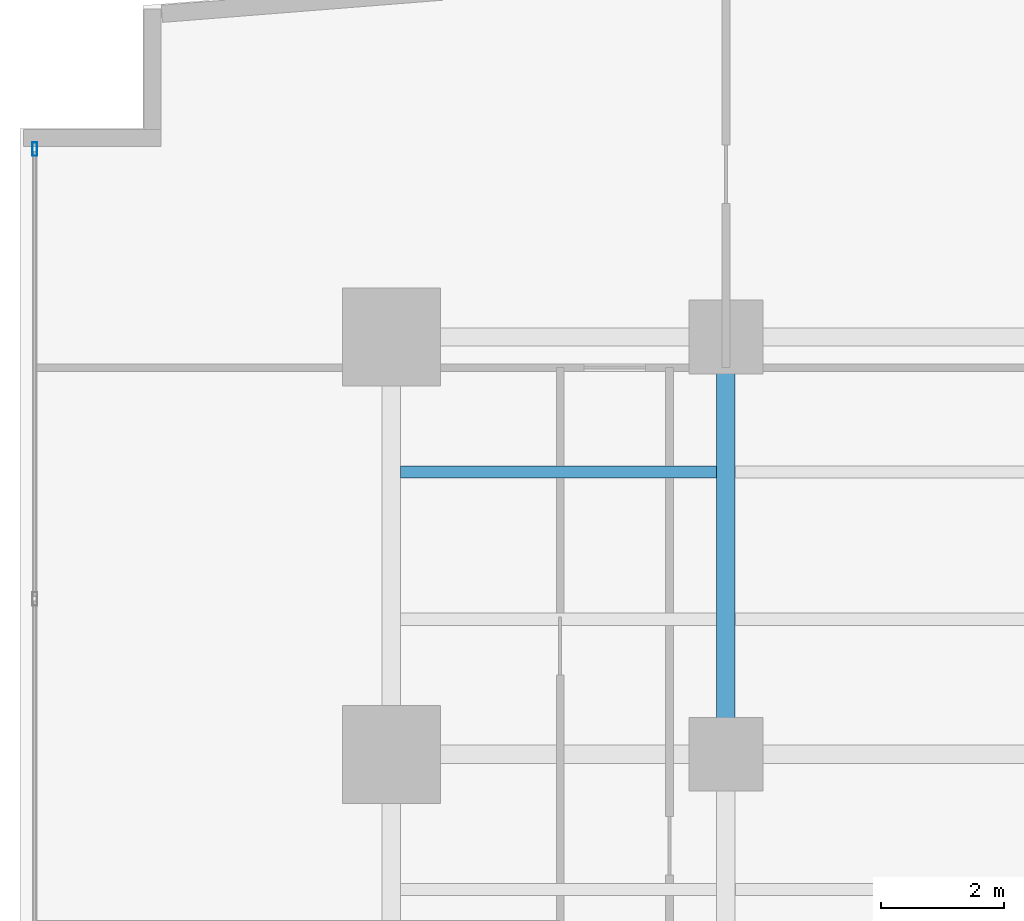
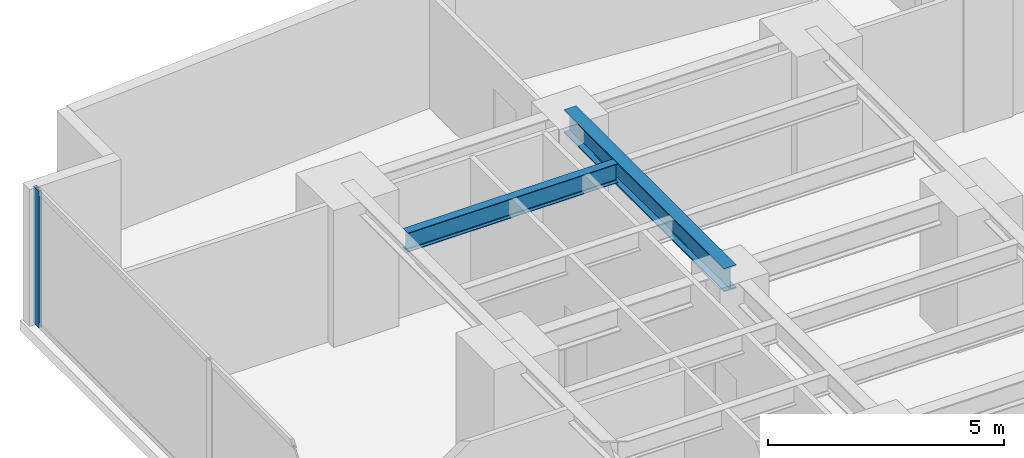
# One storey, part 17 of 28: 2 beams, 1 member, 1 element without a shape of its own.
"""IFC4 building model written with IfcOpenShell, lengths in metres."""

from ifc_helpers import new_model, si_unit, direction, frame, origin, origin_with_axes, origin_2d, place, context, subcontext, project, spatial, hollow_rectangle, i_section, extrude, source, transform, mapped, material, layer, layer_set, material_profile, profile_set, type_object, element, aggregate, save


model = new_model("IFC4")

# Units and contexts
model_context = context("Model", 3, precision=1e-05, world=origin(), true_north=direction((0.0, 1.0)))
body_context = subcontext(model_context, "Body", "Model", "MODEL_VIEW")
ifc_project = project(units=[si_unit("LENGTHUNIT", "METRE"), si_unit("AREAUNIT", "SQUARE_METRE"), si_unit("VOLUMEUNIT", "CUBIC_METRE"), si_unit("PLANEANGLEUNIT", "RADIAN"), si_unit("MASSUNIT", "GRAM", prefix="KILO")], contexts=[model_context])

# Site, building, storey
site_placement = place(None, origin())
site = spatial("IfcSite", under=ifc_project, at=site_placement, CompositionType="ELEMENT")
building_placement = place(site_placement, origin())
building = spatial("IfcBuilding", under=site, at=building_placement, Name="Kolvaren Waterfront Exchange", CompositionType="ELEMENT")
storey_placement = place(building_placement, frame((0.0, 0.0, 41.0)))
storey = spatial("IfcBuildingStorey", under=building, at=storey_placement, Name="L10", CompositionType="ELEMENT", Elevation=41.0)

# Beams
ifc_material_1 = material(Name="Steel S355", Category="steel")
ifc_material_profile_1 = material_profile(ifc_material_1, i_section(OverallWidth=0.300048828125, OverallDepth=0.60009765625, WebThickness=0.015380859375, FlangeThickness=0.030029296875, FilletRadius=0.027099609375, at=origin_2d()), Name="HEB600")
ifc_profile_set_1 = profile_set([ifc_material_profile_1], Name="Steel S355")
beam_type_1 = type_object("IfcBeamType", Name="STR-BM-HEB600", PredefinedType="BEAM", material=ifc_profile_set_1)
beam_1_placement = place(storey_placement, frame((12.89990234375, 37.800048828125, 3.239990234375), z_axis=(0.0, 1.0, 0.0), x_axis=(-1.0, 0.0, 0.0)))
element("IfcBeam", 1, at=beam_1_placement, inside=storey, type_object=beam_type_1, Name="L10 north-arm edge beam 3", PredefinedType="BEAM", context=body_context, shape_type="SweptSolid", body=[
    extrude(i_section(OverallWidth=0.300048828125, OverallDepth=0.60009765625, WebThickness=0.015380859375, FlangeThickness=0.030029296875, FilletRadius=0.027099609375, at=origin_2d()), origin(), (0.0, 0.0, 1.0), 6.800048828125),
])
ifc_material_profile_2 = material_profile(ifc_material_1, i_section(OverallWidth=0.199951171875, OverallDepth=0.5, WebThickness=0.01025390625, FlangeThickness=0.01611328125, FilletRadius=0.02099609375, at=origin_2d()), Name="IPE500")
ifc_profile_set_2 = profile_set([ifc_material_profile_2], Name="Steel S355")
beam_type_2 = type_object("IfcBeamType", Name="STR-BM-IPE500", PredefinedType="JOIST", material=ifc_profile_set_2)
beam_2_placement = place(storey_placement, frame((7.60205078125, 42.39990234375, 3.2900390625), z_axis=(1.0, 0.0, 0.0), x_axis=(0.0, 1.0, 0.0)))
element("IfcBeam", 2, at=beam_2_placement, inside=storey, type_object=beam_type_2, Name="L10 north-arm composite joist 6A", PredefinedType="JOIST", context=body_context, shape_type="SweptSolid", body=[
    extrude(i_section(OverallWidth=0.199951171875, OverallDepth=0.5, WebThickness=0.01025390625, FlangeThickness=0.01611328125, FilletRadius=0.02099609375, at=origin_2d()), origin(), (0.0, 0.0, 1.0), 5.14599609375),
])

# Curtain wall, member
ifc_material_2 = material(Name="Anodised aluminium 6063-T6", Category="aluminium")
ifc_layer = layer(ifc_material_2, 0.219970703125, Name="Anodised aluminium 6063-T6")
ifc_layer_set = layer_set([ifc_layer], Name="Anodised aluminium 6063-T6")
curtain_wall_type = type_object("IfcCurtainWallType", Name="ARC-CW-SYS2", PredefinedType="USERDEFINED", material=ifc_layer_set)
curtain_wall_placement = place(storey_placement, origin())
curtain_wall = element("IfcCurtainWall", 3, at=curtain_wall_placement, inside=storey, type_object=curtain_wall_type, Name="L10 stick curtain wall CW2 (CW-L10-W)", ObjectType="STICK CURTAIN WALL", PredefinedType="USERDEFINED")
ifc_material_profile_3 = material_profile(ifc_material_2, hollow_rectangle(XDim=0.080078125, YDim=0.219970703125, WallThickness=0.0048828125, at=origin_2d()), Name="ALU-MUL-220x80x5")
ifc_profile_set_3 = profile_set([ifc_material_profile_3], Name="Anodised aluminium 6063-T6")
member_type = type_object("IfcMemberType", Name="ARC-CWM-220", PredefinedType="MULLION", material=ifc_profile_set_3)
shared_shape = source(origin_with_axes(), body_context, "Body", "SweptSolid", [
    extrude(hollow_rectangle(XDim=0.080078125, YDim=0.219970703125, WallThickness=0.0048828125, at=origin_2d()), origin(), (0.0, 0.0, 1.0), 3.5400390625),
])
member_placement = place(storey_placement, frame((1.639892578125, 47.659912109375, 0.0), z_axis=(0.0, 0.0, 1.0), x_axis=(-1.0, 0.0, 0.0)))
member = element("IfcMember", 4, at=member_placement, type_object=member_type, Name="CW2 mullion 7", PredefinedType="MULLION", context=body_context, shape_type="MappedRepresentation", body=[
    mapped(shared_shape, transform((0.0, 0.0, 0.0), x_axis=(1.0, 0.0, 0.0), y_axis=(0.0, 1.0, 0.0), z_axis=(0.0, 0.0, 1.0), scale=1.0)),
])
aggregate(curtain_wall, [member])

save(model, "model.ifc")
